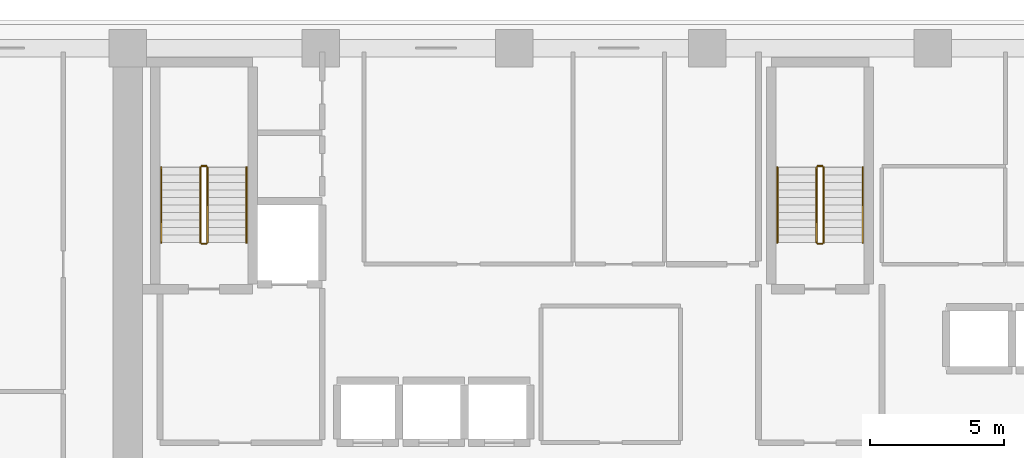
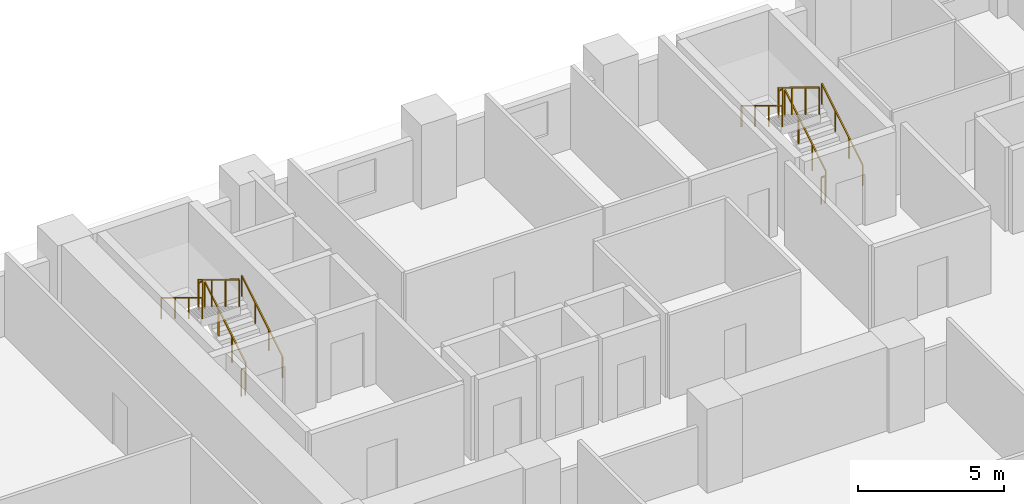
# One storey, part 13 of 15: 12 railings.
"""IFC4 building model written with IfcOpenShell, lengths in metres."""

from ifc_helpers import new_model, si_unit, direction, frame, origin, origin_2d, place, context, subcontext, project, spatial, rectangle, extrude, material, type_object, element, save


model = new_model("IFC4")

# Units and contexts
model_context = context("Model", 3, precision=1e-05, world=origin(), true_north=direction((0.0, 1.0)))
body_context = subcontext(model_context, "Body", "Model", "MODEL_VIEW")
ifc_project = project(units=[si_unit("LENGTHUNIT", "METRE"), si_unit("AREAUNIT", "SQUARE_METRE"), si_unit("VOLUMEUNIT", "CUBIC_METRE"), si_unit("PLANEANGLEUNIT", "RADIAN"), si_unit("MASSUNIT", "GRAM", prefix="KILO")], contexts=[model_context])

# Site, building, storey
site_placement = place(None, origin())
site = spatial("IfcSite", under=ifc_project, at=site_placement, CompositionType="ELEMENT")
building_placement = place(site_placement, origin())
building = spatial("IfcBuilding", under=site, at=building_placement, Name="Kaelvorn Grand Hotel", CompositionType="ELEMENT")
storey_placement = place(building_placement, frame((0.0, 0.0, 72.64990234375)))
storey = spatial("IfcBuildingStorey", under=building, at=storey_placement, Name="L16", CompositionType="ELEMENT", Elevation=72.64990234375)

# Railings
ifc_material = material(Name="Stainless Steel", Category="steel")
railing_type_1 = type_object("IfcRailingType", Name="RL-HANDRAIL-900", PredefinedType="HANDRAIL", material=ifc_material)
railing_1_placement = place(storey_placement, frame((20.6298828125, 41.760009765625, 0.170654296875)))
element("IfcRailing", 1, at=railing_1_placement, inside=storey, type_object=railing_type_1, Name="L16 ST1 stair handrail 1", PredefinedType="HANDRAIL", context=body_context, shape_type="SweptSolid", body=[
    extrude(rectangle(XDim=0.048095703125, YDim=0.048095703125, at=origin_2d()), frame((0.0, 0.0, 0.8759765625), z_axis=(0.0, 0.854202870247, 0.519939858505), x_axis=(-1.0, 0.0, 0.0)), (0.0, 0.0, 1.0), 3.278076171875),
    extrude(rectangle(XDim=0.0419921875, YDim=0.0419921875, at=origin_2d()), origin(), (0.0, 0.0, 1.0), 0.851806640625),
    extrude(rectangle(XDim=0.0419921875, YDim=0.0419921875, at=origin_2d()), frame((0.0, 0.933349609375, 0.568115234375)), (0.0, 0.0, 1.0), 0.851806640625),
    extrude(rectangle(XDim=0.0419921875, YDim=0.0419921875, at=origin_2d()), frame((0.0, 1.86669921875, 1.13623046875)), (0.0, 0.0, 1.0), 0.851806640625),
    extrude(rectangle(XDim=0.0419921875, YDim=0.0419921875, at=origin_2d()), frame((0.0, 2.800048828125, 1.704345703125)), (0.0, 0.0, 1.0), 0.851806640625),
])
railing_2_placement = place(storey_placement, frame((17.449951171875, 44.56005859375, 2.045654296875)))
element("IfcRailing", 2, at=railing_2_placement, inside=storey, type_object=railing_type_1, Name="L16 ST1 stair handrail 2", PredefinedType="HANDRAIL", context=body_context, shape_type="SweptSolid", body=[
    extrude(rectangle(XDim=0.048095703125, YDim=0.048095703125, at=origin_2d()), frame((0.0, 0.0, 0.8759765625), z_axis=(0.0, -0.854202870247, 0.519939858505), x_axis=(1.0, 0.0, 0.0)), (0.0, 0.0, 1.0), 3.278076171875),
    extrude(rectangle(XDim=0.0419921875, YDim=0.0419921875, at=origin_2d()), origin(), (0.0, 0.0, 1.0), 0.851806640625),
    extrude(rectangle(XDim=0.0419921875, YDim=0.0419921875, at=origin_2d()), frame((0.0, -0.933349609375, 0.568115234375)), (0.0, 0.0, 1.0), 0.851806640625),
    extrude(rectangle(XDim=0.0419921875, YDim=0.0419921875, at=origin_2d()), frame((0.0, -1.86669921875, 1.13623046875)), (0.0, 0.0, 1.0), 0.851806640625),
    extrude(rectangle(XDim=0.0419921875, YDim=0.0419921875, at=origin_2d()), frame((0.0, -2.800048828125, 1.704345703125)), (0.0, 0.0, 1.0), 0.851806640625),
])
railing_3_placement = place(storey_placement, frame((43.590087890625, 41.760009765625, 0.170654296875)))
element("IfcRailing", 3, at=railing_3_placement, inside=storey, type_object=railing_type_1, Name="L16 ST2 stair handrail 1", PredefinedType="HANDRAIL", context=body_context, shape_type="SweptSolid", body=[
    extrude(rectangle(XDim=0.048095703125, YDim=0.048095703125, at=origin_2d()), frame((0.0, 0.0, 0.8759765625), z_axis=(0.0, 0.854202870247, 0.519939858505), x_axis=(-1.0, 0.0, 0.0)), (0.0, 0.0, 1.0), 3.278076171875),
    extrude(rectangle(XDim=0.0419921875, YDim=0.0419921875, at=origin_2d()), origin(), (0.0, 0.0, 1.0), 0.851806640625),
    extrude(rectangle(XDim=0.0419921875, YDim=0.0419921875, at=origin_2d()), frame((0.0, 0.933349609375, 0.568115234375)), (0.0, 0.0, 1.0), 0.851806640625),
    extrude(rectangle(XDim=0.0419921875, YDim=0.0419921875, at=origin_2d()), frame((0.0, 1.86669921875, 1.13623046875)), (0.0, 0.0, 1.0), 0.851806640625),
    extrude(rectangle(XDim=0.0419921875, YDim=0.0419921875, at=origin_2d()), frame((0.0, 2.800048828125, 1.704345703125)), (0.0, 0.0, 1.0), 0.851806640625),
])
railing_4_placement = place(storey_placement, frame((40.409912109375, 44.56005859375, 2.045654296875)))
element("IfcRailing", 4, at=railing_4_placement, inside=storey, type_object=railing_type_1, Name="L16 ST2 stair handrail 2", PredefinedType="HANDRAIL", context=body_context, shape_type="SweptSolid", body=[
    extrude(rectangle(XDim=0.048095703125, YDim=0.048095703125, at=origin_2d()), frame((0.0, 0.0, 0.8759765625), z_axis=(0.0, -0.854202870247, 0.519939858505), x_axis=(1.0, 0.0, 0.0)), (0.0, 0.0, 1.0), 3.278076171875),
    extrude(rectangle(XDim=0.0419921875, YDim=0.0419921875, at=origin_2d()), origin(), (0.0, 0.0, 1.0), 0.851806640625),
    extrude(rectangle(XDim=0.0419921875, YDim=0.0419921875, at=origin_2d()), frame((0.0, -0.933349609375, 0.568115234375)), (0.0, 0.0, 1.0), 0.851806640625),
    extrude(rectangle(XDim=0.0419921875, YDim=0.0419921875, at=origin_2d()), frame((0.0, -1.86669921875, 1.13623046875)), (0.0, 0.0, 1.0), 0.851806640625),
    extrude(rectangle(XDim=0.0419921875, YDim=0.0419921875, at=origin_2d()), frame((0.0, -2.800048828125, 1.704345703125)), (0.0, 0.0, 1.0), 0.851806640625),
])
railing_type_2 = type_object("IfcRailingType", Name="RL-STAIR-GUARD-1150", PredefinedType="BALUSTRADE", material=ifc_material)
railing_5_placement = place(storey_placement, frame((19.169921875, 41.760009765625, 0.170654296875)))
element("IfcRailing", 5, at=railing_5_placement, inside=storey, type_object=railing_type_2, Name="L16 ST1 stair guard 1", PredefinedType="BALUSTRADE", context=body_context, shape_type="SweptSolid", body=[
    extrude(rectangle(XDim=0.048095703125, YDim=0.048095703125, at=origin_2d()), frame((0.0, 0.0, 1.1259765625), z_axis=(0.0, 0.854202870247, 0.519939858505), x_axis=(-1.0, 0.0, 0.0)), (0.0, 0.0, 1.0), 3.278076171875),
    extrude(rectangle(XDim=0.0419921875, YDim=0.0419921875, at=origin_2d()), origin(), (0.0, 0.0, 1.0), 1.101806640625),
    extrude(rectangle(XDim=0.0419921875, YDim=0.0419921875, at=origin_2d()), frame((0.0, 0.933349609375, 0.568115234375)), (0.0, 0.0, 1.0), 1.101806640625),
    extrude(rectangle(XDim=0.0419921875, YDim=0.0419921875, at=origin_2d()), frame((0.0, 1.86669921875, 1.13623046875)), (0.0, 0.0, 1.0), 1.101806640625),
    extrude(rectangle(XDim=0.0419921875, YDim=0.0419921875, at=origin_2d()), frame((0.0, 2.800048828125, 1.704345703125)), (0.0, 0.0, 1.0), 1.101806640625),
])
railing_6_placement = place(storey_placement, frame((19.1201171875, 44.610107421875, 1.875)))
element("IfcRailing", 6, at=railing_6_placement, inside=storey, type_object=railing_type_2, Name="L16 ST1 stair guard 2", PredefinedType="BALUSTRADE", context=body_context, shape_type="SweptSolid", body=[
    extrude(rectangle(XDim=0.048095703125, YDim=0.048095703125, at=origin_2d()), frame((0.0, 0.0, 1.1259765625), z_axis=(-1.0, 0.0, 0.0), x_axis=(0.0, -1.0, 0.0)), (0.0, 0.0, 1.0), 0.16015625),
    extrude(rectangle(XDim=0.0419921875, YDim=0.0419921875, at=origin_2d()), origin(), (0.0, 0.0, 1.0), 1.101806640625),
    extrude(rectangle(XDim=0.0419921875, YDim=0.0419921875, at=origin_2d()), frame((-0.16015625, 0.0, 0.0)), (0.0, 0.0, 1.0), 1.101806640625),
])
railing_7_placement = place(storey_placement, frame((18.909912109375, 44.56005859375, 2.045654296875)))
element("IfcRailing", 7, at=railing_7_placement, inside=storey, type_object=railing_type_2, Name="L16 ST1 stair guard 3", PredefinedType="BALUSTRADE", context=body_context, shape_type="SweptSolid", body=[
    extrude(rectangle(XDim=0.048095703125, YDim=0.048095703125, at=origin_2d()), frame((0.0, 0.0, 1.1259765625), z_axis=(0.0, -0.854202870247, 0.519939858505), x_axis=(1.0, 0.0, 0.0)), (0.0, 0.0, 1.0), 3.278076171875),
    extrude(rectangle(XDim=0.0419921875, YDim=0.0419921875, at=origin_2d()), origin(), (0.0, 0.0, 1.0), 1.101806640625),
    extrude(rectangle(XDim=0.0419921875, YDim=0.0419921875, at=origin_2d()), frame((0.0, -0.933349609375, 0.568115234375)), (0.0, 0.0, 1.0), 1.101806640625),
    extrude(rectangle(XDim=0.0419921875, YDim=0.0419921875, at=origin_2d()), frame((0.0, -1.86669921875, 1.13623046875)), (0.0, 0.0, 1.0), 1.101806640625),
    extrude(rectangle(XDim=0.0419921875, YDim=0.0419921875, at=origin_2d()), frame((0.0, -2.800048828125, 1.704345703125)), (0.0, 0.0, 1.0), 1.101806640625),
])
railing_8_placement = place(storey_placement, frame((19.1201171875, 41.7099609375, 0.0)))
element("IfcRailing", 8, at=railing_8_placement, inside=storey, type_object=railing_type_2, Name="L16 ST1 stair guard 4", PredefinedType="BALUSTRADE", context=body_context, shape_type="SweptSolid", body=[
    extrude(rectangle(XDim=0.048095703125, YDim=0.048095703125, at=origin_2d()), frame((0.0, 0.0, 1.1259765625), z_axis=(-1.0, 0.0, 0.0), x_axis=(0.0, -1.0, 0.0)), (0.0, 0.0, 1.0), 0.16015625),
    extrude(rectangle(XDim=0.0419921875, YDim=0.0419921875, at=origin_2d()), origin(), (0.0, 0.0, 1.0), 1.101806640625),
    extrude(rectangle(XDim=0.0419921875, YDim=0.0419921875, at=origin_2d()), frame((-0.16015625, 0.0, 0.0)), (0.0, 0.0, 1.0), 1.101806640625),
])
railing_9_placement = place(storey_placement, frame((42.1298828125, 41.760009765625, 0.170654296875)))
element("IfcRailing", 9, at=railing_9_placement, inside=storey, type_object=railing_type_2, Name="L16 ST2 stair guard 1", PredefinedType="BALUSTRADE", context=body_context, shape_type="SweptSolid", body=[
    extrude(rectangle(XDim=0.048095703125, YDim=0.048095703125, at=origin_2d()), frame((0.0, 0.0, 1.1259765625), z_axis=(0.0, 0.854202870247, 0.519939858505), x_axis=(-1.0, 0.0, 0.0)), (0.0, 0.0, 1.0), 3.278076171875),
    extrude(rectangle(XDim=0.0419921875, YDim=0.0419921875, at=origin_2d()), origin(), (0.0, 0.0, 1.0), 1.101806640625),
    extrude(rectangle(XDim=0.0419921875, YDim=0.0419921875, at=origin_2d()), frame((0.0, 0.933349609375, 0.568115234375)), (0.0, 0.0, 1.0), 1.101806640625),
    extrude(rectangle(XDim=0.0419921875, YDim=0.0419921875, at=origin_2d()), frame((0.0, 1.86669921875, 1.13623046875)), (0.0, 0.0, 1.0), 1.101806640625),
    extrude(rectangle(XDim=0.0419921875, YDim=0.0419921875, at=origin_2d()), frame((0.0, 2.800048828125, 1.704345703125)), (0.0, 0.0, 1.0), 1.101806640625),
])
railing_10_placement = place(storey_placement, frame((42.080078125, 44.610107421875, 1.875)))
element("IfcRailing", 10, at=railing_10_placement, inside=storey, type_object=railing_type_2, Name="L16 ST2 stair guard 2", PredefinedType="BALUSTRADE", context=body_context, shape_type="SweptSolid", body=[
    extrude(rectangle(XDim=0.048095703125, YDim=0.048095703125, at=origin_2d()), frame((0.0, 0.0, 1.1259765625), z_axis=(-1.0, 0.0, 0.0), x_axis=(0.0, -1.0, 0.0)), (0.0, 0.0, 1.0), 0.16015625),
    extrude(rectangle(XDim=0.0419921875, YDim=0.0419921875, at=origin_2d()), origin(), (0.0, 0.0, 1.0), 1.101806640625),
    extrude(rectangle(XDim=0.0419921875, YDim=0.0419921875, at=origin_2d()), frame((-0.16015625, 0.0, 0.0)), (0.0, 0.0, 1.0), 1.101806640625),
])
railing_11_placement = place(storey_placement, frame((41.8701171875, 44.56005859375, 2.045654296875)))
element("IfcRailing", 11, at=railing_11_placement, inside=storey, type_object=railing_type_2, Name="L16 ST2 stair guard 3", PredefinedType="BALUSTRADE", context=body_context, shape_type="SweptSolid", body=[
    extrude(rectangle(XDim=0.048095703125, YDim=0.048095703125, at=origin_2d()), frame((0.0, 0.0, 1.1259765625), z_axis=(0.0, -0.854202870247, 0.519939858505), x_axis=(1.0, 0.0, 0.0)), (0.0, 0.0, 1.0), 3.278076171875),
    extrude(rectangle(XDim=0.0419921875, YDim=0.0419921875, at=origin_2d()), origin(), (0.0, 0.0, 1.0), 1.101806640625),
    extrude(rectangle(XDim=0.0419921875, YDim=0.0419921875, at=origin_2d()), frame((0.0, -0.933349609375, 0.568115234375)), (0.0, 0.0, 1.0), 1.101806640625),
    extrude(rectangle(XDim=0.0419921875, YDim=0.0419921875, at=origin_2d()), frame((0.0, -1.86669921875, 1.13623046875)), (0.0, 0.0, 1.0), 1.101806640625),
    extrude(rectangle(XDim=0.0419921875, YDim=0.0419921875, at=origin_2d()), frame((0.0, -2.800048828125, 1.704345703125)), (0.0, 0.0, 1.0), 1.101806640625),
])
railing_12_placement = place(storey_placement, frame((42.080078125, 41.7099609375, 0.0)))
element("IfcRailing", 12, at=railing_12_placement, inside=storey, type_object=railing_type_2, Name="L16 ST2 stair guard 4", PredefinedType="BALUSTRADE", context=body_context, shape_type="SweptSolid", body=[
    extrude(rectangle(XDim=0.048095703125, YDim=0.048095703125, at=origin_2d()), frame((0.0, 0.0, 1.1259765625), z_axis=(-1.0, 0.0, 0.0), x_axis=(0.0, -1.0, 0.0)), (0.0, 0.0, 1.0), 0.16015625),
    extrude(rectangle(XDim=0.0419921875, YDim=0.0419921875, at=origin_2d()), origin(), (0.0, 0.0, 1.0), 1.101806640625),
    extrude(rectangle(XDim=0.0419921875, YDim=0.0419921875, at=origin_2d()), frame((-0.16015625, 0.0, 0.0)), (0.0, 0.0, 1.0), 1.101806640625),
])

save(model, "model.ifc")
